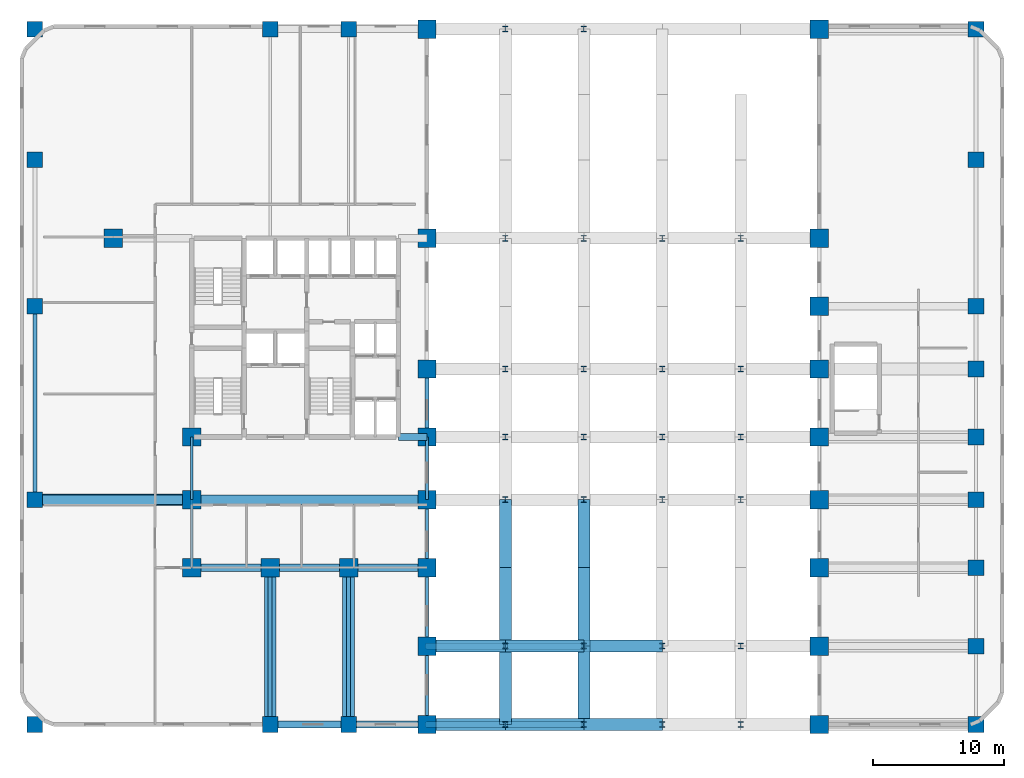
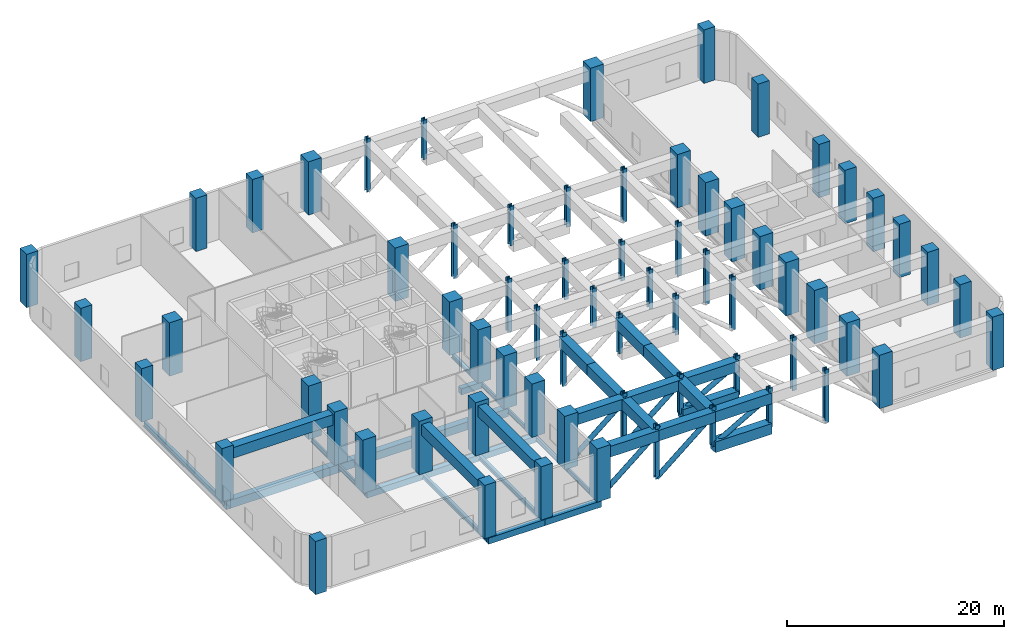
# One storey, part 1 of 11: 67 columns, 35 beams, 6 members.
"""IFC4 building model written with IfcOpenShell, lengths in metres."""

from ifc_helpers import new_model, si_unit, direction, frame, origin, origin_2d, place, context, subcontext, project, spatial, rectangle, hollow_circle, i_section, extrude, material, material_profile, profile_set, type_object, element, save


model = new_model("IFC4")

# Units and contexts
model_context = context("Model", 3, precision=1e-05, world=origin(), true_north=direction((0.0, 1.0)))
body_context = subcontext(model_context, "Body", "Model", "MODEL_VIEW")
ifc_project = project(units=[si_unit("LENGTHUNIT", "METRE"), si_unit("AREAUNIT", "SQUARE_METRE"), si_unit("VOLUMEUNIT", "CUBIC_METRE"), si_unit("PLANEANGLEUNIT", "RADIAN"), si_unit("MASSUNIT", "GRAM", prefix="KILO")], contexts=[model_context])

# Site, building, storey
site_placement = place(None, origin())
site = spatial("IfcSite", under=ifc_project, at=site_placement, CompositionType="ELEMENT")
building_placement = place(site_placement, origin())
building = spatial("IfcBuilding", under=site, at=building_placement, Name="Keshet Zoharim Tower", CompositionType="ELEMENT")
storey_placement = place(building_placement, frame((0.0, 0.0, 13.0)))
storey = spatial("IfcBuildingStorey", under=building, at=storey_placement, Name="L02", CompositionType="ELEMENT", Elevation=13.0)

# Columns
ifc_material_1 = material(Name="Steel S355", Category="steel")
ifc_material_profile_1 = material_profile(ifc_material_1, i_section(OverallWidth=0.41796875, OverallDepth=0.455078125, WebThickness=0.0419921875, FlangeThickness=0.068115234375, FilletRadius=0.014892578125, at=origin_2d()), Name="HD400x551")
ifc_profile_set_1 = profile_set([ifc_material_profile_1], Name="Steel S355")
column_type_1 = type_object("IfcColumnType", Name="COL-HD551", PredefinedType="COLUMN", material=ifc_profile_set_1)
column_1_placement = place(storey_placement, frame((39.0, 0.699951171875, 0.0), z_axis=(0.0, 0.0, 1.0), x_axis=(1.0, 0.0, 0.0)))
element("IfcColumn", 1, at=column_1_placement, inside=storey, type_object=column_type_1, Name="L02 Arch Spandrel Transfer Column A-39", PredefinedType="COLUMN", context=body_context, shape_type="SweptSolid", body=[
    extrude(i_section(OverallWidth=0.41796875, OverallDepth=0.455078125, WebThickness=0.0419921875, FlangeThickness=0.068115234375, FilletRadius=0.014892578125, at=origin_2d()), origin(), (0.0, 0.0, 1.0), 6.0),
])
for number, where, z_axis, x_axis, name in (
    (2, (45.0, 0.699951171875, 1.56298828125), (0.0, 0.0, 1.0), (1.0, 0.0, 0.0), "L02 Arch Spandrel Transfer Column A-45"),
    (3, (51.0, 0.699951171875, 1.56298828125), (0.0, 0.0, 1.0), (1.0, 0.0, 0.0), "L02 Arch Spandrel Transfer Column A-51"),
):
    element("IfcColumn", number, at=place(storey_placement, frame(where, z_axis=z_axis, x_axis=x_axis)), inside=storey, type_object=column_type_1, Name=name, PredefinedType="COLUMN", context=body_context, shape_type="SweptSolid", body=[
        extrude(i_section(OverallWidth=0.41796875, OverallDepth=0.455078125, WebThickness=0.0419921875, FlangeThickness=0.068115234375, FilletRadius=0.014892578125, at=origin_2d()), origin(), (0.0, 0.0, 1.0), 4.43701171875),
    ])
for number, where, z_axis, x_axis, name in (
    (4, (57.0, 0.699951171875, 0.0), (0.0, 0.0, 1.0), (1.0, 0.0, 0.0), "L02 Arch Spandrel Transfer Column A-57"),
    (5, (39.0, 6.699951171875, 0.0), (0.0, 0.0, 1.0), (1.0, 0.0, 0.0), "L02 Arch Spandrel Transfer Column B-39"),
):
    element("IfcColumn", number, at=place(storey_placement, frame(where, z_axis=z_axis, x_axis=x_axis)), inside=storey, type_object=column_type_1, Name=name, PredefinedType="COLUMN", context=body_context, shape_type="SweptSolid", body=[
        extrude(i_section(OverallWidth=0.41796875, OverallDepth=0.455078125, WebThickness=0.0419921875, FlangeThickness=0.068115234375, FilletRadius=0.014892578125, at=origin_2d()), origin(), (0.0, 0.0, 1.0), 6.0),
    ])
for number, where, z_axis, x_axis, name in (
    (6, (45.0, 6.699951171875, 1.56298828125), (0.0, 0.0, 1.0), (1.0, 0.0, 0.0), "L02 Arch Spandrel Transfer Column B-45"),
    (7, (51.0, 6.699951171875, 1.56298828125), (0.0, 0.0, 1.0), (1.0, 0.0, 0.0), "L02 Arch Spandrel Transfer Column B-51"),
):
    element("IfcColumn", number, at=place(storey_placement, frame(where, z_axis=z_axis, x_axis=x_axis)), inside=storey, type_object=column_type_1, Name=name, PredefinedType="COLUMN", context=body_context, shape_type="SweptSolid", body=[
        extrude(i_section(OverallWidth=0.41796875, OverallDepth=0.455078125, WebThickness=0.0419921875, FlangeThickness=0.068115234375, FilletRadius=0.014892578125, at=origin_2d()), origin(), (0.0, 0.0, 1.0), 4.43701171875),
    ])
for number, where, z_axis, x_axis, name in (
    (8, (57.0, 6.699951171875, 0.0), (0.0, 0.0, 1.0), (1.0, 0.0, 0.0), "L02 Arch Spandrel Transfer Column B-57"),
    (9, (39.0, 17.89990234375, 0.0), (0.0, 0.0, 1.0), (1.0, 0.0, 0.0), "L02 Arch Spandrel Transfer Column D-39"),
):
    element("IfcColumn", number, at=place(storey_placement, frame(where, z_axis=z_axis, x_axis=x_axis)), inside=storey, type_object=column_type_1, Name=name, PredefinedType="COLUMN", context=body_context, shape_type="SweptSolid", body=[
        extrude(i_section(OverallWidth=0.41796875, OverallDepth=0.455078125, WebThickness=0.0419921875, FlangeThickness=0.068115234375, FilletRadius=0.014892578125, at=origin_2d()), origin(), (0.0, 0.0, 1.0), 6.0),
    ])
for number, where, z_axis, x_axis, name in (
    (10, (45.0, 17.89990234375, 1.56298828125), (0.0, 0.0, 1.0), (1.0, 0.0, 0.0), "L02 Arch Spandrel Transfer Column D-45"),
    (11, (51.0, 17.89990234375, 1.56298828125), (0.0, 0.0, 1.0), (1.0, 0.0, 0.0), "L02 Arch Spandrel Transfer Column D-51"),
):
    element("IfcColumn", number, at=place(storey_placement, frame(where, z_axis=z_axis, x_axis=x_axis)), inside=storey, type_object=column_type_1, Name=name, PredefinedType="COLUMN", context=body_context, shape_type="SweptSolid", body=[
        extrude(i_section(OverallWidth=0.41796875, OverallDepth=0.455078125, WebThickness=0.0419921875, FlangeThickness=0.068115234375, FilletRadius=0.014892578125, at=origin_2d()), origin(), (0.0, 0.0, 1.0), 4.43701171875),
    ])
for number, where, z_axis, x_axis, name in (
    (12, (57.0, 17.89990234375, 0.0), (0.0, 0.0, 1.0), (1.0, 0.0, 0.0), "L02 Arch Spandrel Transfer Column D-57"),
    (13, (39.0, 22.699951171875, 0.0), (0.0, 0.0, 1.0), (1.0, 0.0, 0.0), "L02 Arch Spandrel Transfer Column E-39"),
):
    element("IfcColumn", number, at=place(storey_placement, frame(where, z_axis=z_axis, x_axis=x_axis)), inside=storey, type_object=column_type_1, Name=name, PredefinedType="COLUMN", context=body_context, shape_type="SweptSolid", body=[
        extrude(i_section(OverallWidth=0.41796875, OverallDepth=0.455078125, WebThickness=0.0419921875, FlangeThickness=0.068115234375, FilletRadius=0.014892578125, at=origin_2d()), origin(), (0.0, 0.0, 1.0), 6.0),
    ])
for number, where, z_axis, x_axis, name in (
    (14, (45.0, 22.699951171875, 1.56298828125), (0.0, 0.0, 1.0), (1.0, 0.0, 0.0), "L02 Arch Spandrel Transfer Column E-45"),
    (15, (51.0, 22.699951171875, 1.56298828125), (0.0, 0.0, 1.0), (1.0, 0.0, 0.0), "L02 Arch Spandrel Transfer Column E-51"),
):
    element("IfcColumn", number, at=place(storey_placement, frame(where, z_axis=z_axis, x_axis=x_axis)), inside=storey, type_object=column_type_1, Name=name, PredefinedType="COLUMN", context=body_context, shape_type="SweptSolid", body=[
        extrude(i_section(OverallWidth=0.41796875, OverallDepth=0.455078125, WebThickness=0.0419921875, FlangeThickness=0.068115234375, FilletRadius=0.014892578125, at=origin_2d()), origin(), (0.0, 0.0, 1.0), 4.43701171875),
    ])
for number, where, z_axis, x_axis, name in (
    (16, (57.0, 22.699951171875, 0.0), (0.0, 0.0, 1.0), (1.0, 0.0, 0.0), "L02 Arch Spandrel Transfer Column E-57"),
    (17, (39.0, 27.89990234375, 0.0), (0.0, 0.0, 1.0), (1.0, 0.0, 0.0), "L02 Arch Spandrel Transfer Column F-39"),
):
    element("IfcColumn", number, at=place(storey_placement, frame(where, z_axis=z_axis, x_axis=x_axis)), inside=storey, type_object=column_type_1, Name=name, PredefinedType="COLUMN", context=body_context, shape_type="SweptSolid", body=[
        extrude(i_section(OverallWidth=0.41796875, OverallDepth=0.455078125, WebThickness=0.0419921875, FlangeThickness=0.068115234375, FilletRadius=0.014892578125, at=origin_2d()), origin(), (0.0, 0.0, 1.0), 6.0),
    ])
for number, where, z_axis, x_axis, name in (
    (18, (45.0, 27.89990234375, 1.56298828125), (0.0, 0.0, 1.0), (1.0, 0.0, 0.0), "L02 Arch Spandrel Transfer Column F-45"),
    (19, (51.0, 27.89990234375, 1.56298828125), (0.0, 0.0, 1.0), (1.0, 0.0, 0.0), "L02 Arch Spandrel Transfer Column F-51"),
):
    element("IfcColumn", number, at=place(storey_placement, frame(where, z_axis=z_axis, x_axis=x_axis)), inside=storey, type_object=column_type_1, Name=name, PredefinedType="COLUMN", context=body_context, shape_type="SweptSolid", body=[
        extrude(i_section(OverallWidth=0.41796875, OverallDepth=0.455078125, WebThickness=0.0419921875, FlangeThickness=0.068115234375, FilletRadius=0.014892578125, at=origin_2d()), origin(), (0.0, 0.0, 1.0), 4.43701171875),
    ])
for number, where, z_axis, x_axis, name in (
    (20, (57.0, 27.89990234375, 0.0), (0.0, 0.0, 1.0), (1.0, 0.0, 0.0), "L02 Arch Spandrel Transfer Column F-57"),
    (21, (39.0, 37.89990234375, 0.0), (0.0, 0.0, 1.0), (1.0, 0.0, 0.0), "L02 Arch Spandrel Transfer Column H-39"),
):
    element("IfcColumn", number, at=place(storey_placement, frame(where, z_axis=z_axis, x_axis=x_axis)), inside=storey, type_object=column_type_1, Name=name, PredefinedType="COLUMN", context=body_context, shape_type="SweptSolid", body=[
        extrude(i_section(OverallWidth=0.41796875, OverallDepth=0.455078125, WebThickness=0.0419921875, FlangeThickness=0.068115234375, FilletRadius=0.014892578125, at=origin_2d()), origin(), (0.0, 0.0, 1.0), 6.0),
    ])
for number, where, z_axis, x_axis, name in (
    (22, (45.0, 37.89990234375, 1.56298828125), (0.0, 0.0, 1.0), (1.0, 0.0, 0.0), "L02 Arch Spandrel Transfer Column H-45"),
    (23, (51.0, 37.89990234375, 1.56298828125), (0.0, 0.0, 1.0), (1.0, 0.0, 0.0), "L02 Arch Spandrel Transfer Column H-51"),
):
    element("IfcColumn", number, at=place(storey_placement, frame(where, z_axis=z_axis, x_axis=x_axis)), inside=storey, type_object=column_type_1, Name=name, PredefinedType="COLUMN", context=body_context, shape_type="SweptSolid", body=[
        extrude(i_section(OverallWidth=0.41796875, OverallDepth=0.455078125, WebThickness=0.0419921875, FlangeThickness=0.068115234375, FilletRadius=0.014892578125, at=origin_2d()), origin(), (0.0, 0.0, 1.0), 4.43701171875),
    ])
for number, where, z_axis, x_axis, name in (
    (24, (57.0, 37.89990234375, 0.0), (0.0, 0.0, 1.0), (1.0, 0.0, 0.0), "L02 Arch Spandrel Transfer Column H-57"),
    (25, (39.0, 53.89990234375, 0.0), (0.0, 0.0, 1.0), (1.0, 0.0, 0.0), "L02 Arch Spandrel Transfer Column L-39"),
):
    element("IfcColumn", number, at=place(storey_placement, frame(where, z_axis=z_axis, x_axis=x_axis)), inside=storey, type_object=column_type_1, Name=name, PredefinedType="COLUMN", context=body_context, shape_type="SweptSolid", body=[
        extrude(i_section(OverallWidth=0.41796875, OverallDepth=0.455078125, WebThickness=0.0419921875, FlangeThickness=0.068115234375, FilletRadius=0.014892578125, at=origin_2d()), origin(), (0.0, 0.0, 1.0), 6.0),
    ])
column_2_placement = place(storey_placement, frame((45.0, 53.89990234375, 1.56298828125), z_axis=(0.0, 0.0, 1.0), x_axis=(1.0, 0.0, 0.0)))
element("IfcColumn", 26, at=column_2_placement, inside=storey, type_object=column_type_1, Name="L02 Arch Spandrel Transfer Column L-45", PredefinedType="COLUMN", context=body_context, shape_type="SweptSolid", body=[
    extrude(i_section(OverallWidth=0.41796875, OverallDepth=0.455078125, WebThickness=0.0419921875, FlangeThickness=0.068115234375, FilletRadius=0.014892578125, at=origin_2d()), origin(), (0.0, 0.0, 1.0), 4.43701171875),
])
ifc_material_2 = material(Name="Concrete C60/75", Category="concrete")
ifc_material_profile_2 = material_profile(ifc_material_2, rectangle(XDim=1.39990234375, YDim=1.39990234375, at=origin_2d()), Name="RC1400x1400")
ifc_profile_set_2 = profile_set([ifc_material_profile_2], Name="Concrete C60/75")
column_type_2 = type_object("IfcColumnType", Name="COL-POD-1400", PredefinedType="COLUMN", material=ifc_profile_set_2)
for number, where, z_axis, x_axis, name in (
    (27, (9.0, 37.89990234375, 0.0), (0.0, 0.0, 1.0), (1.0, 0.0, 0.0), "L02 Column 2H"),
    (28, (15.0, 12.699951171875, 0.0), (0.0, 0.0, 1.0), (1.0, 0.0, 0.0), "L02 Column 3C"),
    (29, (15.0, 17.89990234375, 0.0), (0.0, 0.0, 1.0), (1.0, 0.0, 0.0), "L02 Column 3D"),
    (30, (15.0, 22.699951171875, 0.0), (0.0, 0.0, 1.0), (1.0, 0.0, 0.0), "L02 Column 3E"),
    (31, (21.0, 12.699951171875, 0.0), (0.0, 0.0, 1.0), (1.0, 0.0, 0.0), "L02 Column 4C"),
    (32, (27.0, 12.699951171875, 0.0), (0.0, 0.0, 1.0), (1.0, 0.0, 0.0), "L02 Column 5C"),
):
    element("IfcColumn", number, at=place(storey_placement, frame(where, z_axis=z_axis, x_axis=x_axis)), inside=storey, type_object=column_type_2, Name=name, PredefinedType="COLUMN", context=body_context, shape_type="SweptSolid", body=[
        extrude(rectangle(XDim=1.39990234375, YDim=1.39990234375, at=origin_2d()), origin(), (0.0, 0.0, 1.0), 6.0),
    ])
ifc_material_profile_3 = material_profile(ifc_material_2, rectangle(XDim=1.199951171875, YDim=1.199951171875, at=origin_2d()), Name="RC1200x1200")
ifc_profile_set_3 = profile_set([ifc_material_profile_3], Name="Concrete C60/75")
column_type_3 = type_object("IfcColumnType", Name="PIL-RC1200", PredefinedType="PILASTER", material=ifc_profile_set_3)
for number, where, z_axis, x_axis, name in (
    (33, (3.0, 0.699951171875, 0.0), (0.0, 0.0, 1.0), (1.0, 0.0, 0.0), "L02 Column 1A"),
    (34, (3.0, 17.89990234375, 0.0), (0.0, 0.0, 1.0), (1.0, 0.0, 0.0), "L02 Column 1D"),
    (35, (3.0, 32.699951171875, 0.0), (0.0, 0.0, 1.0), (1.0, 0.0, 0.0), "L02 Column 1G"),
    (36, (3.0, 43.89990234375, 0.0), (0.0, 0.0, 1.0), (1.0, 0.0, 0.0), "L02 Column 1J"),
    (37, (3.0, 53.89990234375, 0.0), (0.0, 0.0, 1.0), (1.0, 0.0, 0.0), "L02 Column 1L"),
    (38, (21.0, 0.699951171875, 0.0), (0.0, 0.0, 1.0), (1.0, 0.0, 0.0), "L02 Column 4A"),
    (39, (21.0, 53.89990234375, 0.0), (0.0, 0.0, 1.0), (1.0, 0.0, 0.0), "L02 Column 4L"),
    (40, (27.0, 0.699951171875, 0.0), (0.0, 0.0, 1.0), (1.0, 0.0, 0.0), "L02 Column 5A"),
    (41, (27.0, 53.89990234375, 0.0), (0.0, 0.0, 1.0), (1.0, 0.0, 0.0), "L02 Column 5L"),
    (42, (75.0, 0.699951171875, 0.0), (0.0, 0.0, 1.0), (1.0, 0.0, 0.0), "L02 Column 13A"),
    (43, (75.0, 6.699951171875, 0.0), (0.0, 0.0, 1.0), (1.0, 0.0, 0.0), "L02 Column 13B"),
    (44, (75.0, 12.699951171875, 0.0), (0.0, 0.0, 1.0), (1.0, 0.0, 0.0), "L02 Column 13C"),
    (45, (75.0, 17.89990234375, 0.0), (0.0, 0.0, 1.0), (1.0, 0.0, 0.0), "L02 Column 13D"),
    (46, (75.0, 22.699951171875, 0.0), (0.0, 0.0, 1.0), (1.0, 0.0, 0.0), "L02 Column 13E"),
    (47, (75.0, 27.89990234375, 0.0), (0.0, 0.0, 1.0), (1.0, 0.0, 0.0), "L02 Column 13F"),
    (48, (75.0, 32.699951171875, 0.0), (0.0, 0.0, 1.0), (1.0, 0.0, 0.0), "L02 Column 13G"),
    (49, (75.0, 43.89990234375, 0.0), (0.0, 0.0, 1.0), (1.0, 0.0, 0.0), "L02 Column 13J"),
    (50, (75.0, 53.89990234375, 0.0), (0.0, 0.0, 1.0), (1.0, 0.0, 0.0), "L02 Column 13L"),
):
    element("IfcColumn", number, at=place(storey_placement, frame(where, z_axis=z_axis, x_axis=x_axis)), inside=storey, type_object=column_type_3, Name=name, PredefinedType="PILASTER", context=body_context, shape_type="SweptSolid", body=[
        extrude(rectangle(XDim=1.199951171875, YDim=1.199951171875, at=origin_2d()), origin(), (0.0, 0.0, 1.0), 6.0),
    ])
ifc_material_profile_4 = material_profile(ifc_material_2, rectangle(XDim=1.39990234375, YDim=1.39990234375, at=origin_2d()), Name="RC1400x1400")
ifc_profile_set_4 = profile_set([ifc_material_profile_4], Name="Concrete C60/75")
column_type_4 = type_object("IfcColumnType", Name="PIL-RC1400", PredefinedType="PILASTER", material=ifc_profile_set_4)
for number, where, z_axis, x_axis, name in (
    (51, (33.0, 0.699951171875, 0.0), (0.0, 0.0, 1.0), (1.0, 0.0, 0.0), "L02 Column 6A"),
    (52, (33.0, 6.699951171875, 0.0), (0.0, 0.0, 1.0), (1.0, 0.0, 0.0), "L02 Column 6B"),
    (53, (33.0, 12.699951171875, 0.0), (0.0, 0.0, 1.0), (1.0, 0.0, 0.0), "L02 Column 6C"),
    (54, (33.0, 17.89990234375, 0.0), (0.0, 0.0, 1.0), (1.0, 0.0, 0.0), "L02 Column 6D"),
    (55, (33.0, 22.699951171875, 0.0), (0.0, 0.0, 1.0), (1.0, 0.0, 0.0), "L02 Column 6E"),
    (56, (33.0, 27.89990234375, 0.0), (0.0, 0.0, 1.0), (1.0, 0.0, 0.0), "L02 Column 6F"),
    (57, (33.0, 37.89990234375, 0.0), (0.0, 0.0, 1.0), (1.0, 0.0, 0.0), "L02 Column 6H"),
    (58, (33.0, 53.89990234375, 0.0), (0.0, 0.0, 1.0), (1.0, 0.0, 0.0), "L02 Column 6L"),
    (59, (63.0, 0.699951171875, 0.0), (0.0, 0.0, 1.0), (1.0, 0.0, 0.0), "L02 Column 11A"),
    (60, (63.0, 6.699951171875, 0.0), (0.0, 0.0, 1.0), (1.0, 0.0, 0.0), "L02 Column 11B"),
    (61, (63.0, 12.699951171875, 0.0), (0.0, 0.0, 1.0), (1.0, 0.0, 0.0), "L02 Column 11C"),
    (62, (63.0, 17.89990234375, 0.0), (0.0, 0.0, 1.0), (1.0, 0.0, 0.0), "L02 Column 11D"),
    (63, (63.0, 22.699951171875, 0.0), (0.0, 0.0, 1.0), (1.0, 0.0, 0.0), "L02 Column 11E"),
    (64, (63.0, 27.89990234375, 0.0), (0.0, 0.0, 1.0), (1.0, 0.0, 0.0), "L02 Column 11F"),
    (65, (63.0, 32.699951171875, 0.0), (0.0, 0.0, 1.0), (1.0, 0.0, 0.0), "L02 Column 11G"),
    (66, (63.0, 37.89990234375, 0.0), (0.0, 0.0, 1.0), (1.0, 0.0, 0.0), "L02 Column 11H"),
    (67, (63.0, 53.89990234375, 0.0), (0.0, 0.0, 1.0), (1.0, 0.0, 0.0), "L02 Column 11L"),
):
    element("IfcColumn", number, at=place(storey_placement, frame(where, z_axis=z_axis, x_axis=x_axis)), inside=storey, type_object=column_type_4, Name=name, PredefinedType="PILASTER", context=body_context, shape_type="SweptSolid", body=[
        extrude(rectangle(XDim=1.39990234375, YDim=1.39990234375, at=origin_2d()), origin(), (0.0, 0.0, 1.0), 6.0),
    ])

# Beams
ifc_material_profile_5 = material_profile(ifc_material_2, rectangle(XDim=0.89990234375, YDim=1.199951171875, at=origin_2d()), Name="RC1200x900")
ifc_profile_set_5 = profile_set([ifc_material_profile_5], Name="Concrete C60/75")
beam_type_1 = type_object("IfcBeamType", Name="BM-ARCH-1200", PredefinedType="BEAM", material=ifc_profile_set_5)
for number, where, z_axis, x_axis, name in (
    (68, (45.0, 0.699951171875, 1.56298828125), (1.0, 0.0, 0.0), (0.0, 1.0, 0.0), "Arch Spandrel Transfer Rib A-03"),
    (69, (45.0, 6.699951171875, 1.56298828125), (1.0, 0.0, 0.0), (0.0, 1.0, 0.0), "Arch Spandrel Transfer Rib B-03"),
):
    element("IfcBeam", number, at=place(storey_placement, frame(where, z_axis=z_axis, x_axis=x_axis)), inside=storey, type_object=beam_type_1, Name=name, PredefinedType="BEAM", context=body_context, shape_type="SweptSolid", body=[
        extrude(rectangle(XDim=0.89990234375, YDim=1.199951171875, at=origin_2d()), origin(), (0.0, 0.0, 1.0), 6.0),
    ])
ifc_material_profile_6 = material_profile(ifc_material_1, i_section(OverallWidth=0.300048828125, OverallDepth=0.60009765625, WebThickness=0.015380859375, FlangeThickness=0.030029296875, FilletRadius=0.027099609375, at=origin_2d()), Name="HEB600")
ifc_profile_set_6 = profile_set([ifc_material_profile_6], Name="Steel S355")
beam_type_2 = type_object("IfcBeamType", Name="BM-LNG-HB600", PredefinedType="BEAM", material=ifc_profile_set_6)
beam_1_placement = place(storey_placement, frame((3.0, 17.89990234375, -0.6298828125), z_axis=(0.0, 1.0, 0.0), x_axis=(-1.0, 0.0, 0.0)))
element("IfcBeam", 70, at=beam_1_placement, inside=storey, type_object=beam_type_2, Name="L02 Primary Girder Y-001", PredefinedType="BEAM", context=body_context, shape_type="SweptSolid", body=[
    extrude(i_section(OverallWidth=0.300048828125, OverallDepth=0.60009765625, WebThickness=0.015380859375, FlangeThickness=0.030029296875, FilletRadius=0.027099609375, at=origin_2d()), origin(), (0.0, 0.0, 1.0), 14.800048828125),
])
ifc_material_profile_7 = material_profile(ifc_material_2, rectangle(XDim=0.699951171875, YDim=0.89990234375, at=origin_2d()), Name="RC900x700")
ifc_profile_set_7 = profile_set([ifc_material_profile_7], Name="Concrete C60/75")
beam_type_3 = type_object("IfcBeamType", Name="BM-LNG-RC900", PredefinedType="T_BEAM", material=ifc_profile_set_7)
beam_2_placement = place(storey_placement, frame((3.0, 17.89990234375, -0.780029296875), z_axis=(1.0, 0.0, 0.0), x_axis=(0.0, 1.0, 0.0)))
element("IfcBeam", 71, at=beam_2_placement, inside=storey, type_object=beam_type_3, Name="L02 Primary Girder X-009", PredefinedType="T_BEAM", context=body_context, shape_type="SweptSolid", body=[
    extrude(rectangle(XDim=0.699951171875, YDim=0.89990234375, at=origin_2d()), origin(), (0.0, 0.0, 1.0), 12.0),
])
beam_3_placement = place(storey_placement, frame((15.0, 17.89990234375, -0.780029296875), z_axis=(1.0, 0.0, 0.0), x_axis=(0.0, 1.0, 0.0)))
element("IfcBeam", 72, at=beam_3_placement, inside=storey, type_object=beam_type_3, Name="L02 Primary Girder X-010", PredefinedType="T_BEAM", context=body_context, shape_type="SweptSolid", body=[
    extrude(rectangle(XDim=0.699951171875, YDim=0.89990234375, at=origin_2d()), origin(), (0.0, 0.0, 1.0), 18.0),
])
ifc_material_3 = material(Name="Concrete C50/60", Category="concrete")
ifc_material_profile_8 = material_profile(ifc_material_3, rectangle(XDim=0.550048828125, YDim=0.699951171875, at=origin_2d()), Name="RC700x550")
ifc_profile_set_8 = profile_set([ifc_material_profile_8], Name="Concrete C50/60")
beam_type_4 = type_object("IfcBeamType", Name="BM-LNT-700", PredefinedType="LINTEL", material=ifc_profile_set_8)
for number, where, z_axis, x_axis, name in (
    (73, (21.0, 0.699951171875, -0.679931640625), (1.0, 0.0, 0.0), (0.0, 1.0, 0.0), "L02 Primary Girder X-001"),
    (74, (27.0, 0.699951171875, -0.679931640625), (1.0, 0.0, 0.0), (0.0, 1.0, 0.0), "L02 Primary Girder X-002"),
    (75, (15.0, 12.699951171875, -0.679931640625), (1.0, 0.0, 0.0), (0.0, 1.0, 0.0), "L02 Primary Girder X-005"),
    (76, (21.0, 12.699951171875, -0.679931640625), (1.0, 0.0, 0.0), (0.0, 1.0, 0.0), "L02 Primary Girder X-006"),
    (77, (27.0, 12.699951171875, -0.679931640625), (1.0, 0.0, 0.0), (0.0, 1.0, 0.0), "L02 Primary Girder X-007"),
):
    element("IfcBeam", number, at=place(storey_placement, frame(where, z_axis=z_axis, x_axis=x_axis)), inside=storey, type_object=beam_type_4, Name=name, PredefinedType="LINTEL", context=body_context, shape_type="SweptSolid", body=[
        extrude(rectangle(XDim=0.550048828125, YDim=0.699951171875, at=origin_2d()), origin(), (0.0, 0.0, 1.0), 6.0),
    ])
beam_4_placement = place(storey_placement, frame((30.800048828125, 22.699951171875, -0.679931640625), z_axis=(1.0, 0.0, 0.0), x_axis=(0.0, 1.0, 0.0)))
element("IfcBeam", 78, at=beam_4_placement, inside=storey, type_object=beam_type_4, Name="L02 Primary Girder X-012", PredefinedType="LINTEL", context=body_context, shape_type="SweptSolid", body=[
    extrude(rectangle(XDim=0.550048828125, YDim=0.699951171875, at=origin_2d()), origin(), (0.0, 0.0, 1.0), 2.199951171875),
])
ifc_material_profile_9 = material_profile(ifc_material_1, i_section(OverallWidth=0.300048828125, OverallDepth=0.5, WebThickness=0.014404296875, FlangeThickness=0.028076171875, FilletRadius=0.027099609375, at=origin_2d()), Name="HEB500")
ifc_profile_set_9 = profile_set([ifc_material_profile_9], Name="Steel S355")
beam_type_5 = type_object("IfcBeamType", Name="BM-MED-HB500", PredefinedType="BEAM", material=ifc_profile_set_9)
for number, where, z_axis, x_axis, name in (
    (79, (21.0, 0.699951171875, -0.580078125), (0.0, 1.0, 0.0), (-1.0, 0.0, 0.0), "L02 Primary Girder Y-005"),
    (80, (27.0, 0.699951171875, -0.580078125), (0.0, 1.0, 0.0), (-1.0, 0.0, 0.0), "L02 Primary Girder Y-006"),
):
    element("IfcBeam", number, at=place(storey_placement, frame(where, z_axis=z_axis, x_axis=x_axis)), inside=storey, type_object=beam_type_5, Name=name, PredefinedType="BEAM", context=body_context, shape_type="SweptSolid", body=[
        extrude(i_section(OverallWidth=0.300048828125, OverallDepth=0.5, WebThickness=0.014404296875, FlangeThickness=0.028076171875, FilletRadius=0.027099609375, at=origin_2d()), origin(), (0.0, 0.0, 1.0), 12.0),
    ])
beam_5_placement = place(storey_placement, frame((33.0, 22.699951171875, -0.580078125), z_axis=(0.0, 1.0, 0.0), x_axis=(-1.0, 0.0, 0.0)))
element("IfcBeam", 81, at=beam_5_placement, inside=storey, type_object=beam_type_5, Name="L02 Primary Girder Y-011", PredefinedType="BEAM", context=body_context, shape_type="SweptSolid", body=[
    extrude(i_section(OverallWidth=0.300048828125, OverallDepth=0.5, WebThickness=0.014404296875, FlangeThickness=0.028076171875, FilletRadius=0.027099609375, at=origin_2d()), origin(), (0.0, 0.0, 1.0), 5.199951171875),
])
ifc_material_profile_10 = material_profile(ifc_material_1, i_section(OverallWidth=0.199951171875, OverallDepth=0.5, WebThickness=0.01025390625, FlangeThickness=0.01611328125, FilletRadius=0.02099609375, at=origin_2d()), Name="IPE500")
ifc_profile_set_10 = profile_set([ifc_material_profile_10], Name="Steel S355")
beam_type_6 = type_object("IfcBeamType", Name="BM-PRI-IP500", PredefinedType="BEAM", material=ifc_profile_set_10)
beam_6_placement = place(storey_placement, frame((15.0, 12.699951171875, -0.580078125), z_axis=(0.0, 1.0, 0.0), x_axis=(-1.0, 0.0, 0.0)))
element("IfcBeam", 82, at=beam_6_placement, inside=storey, type_object=beam_type_6, Name="L02 Primary Girder Y-003", PredefinedType="BEAM", context=body_context, shape_type="SweptSolid", body=[
    extrude(i_section(OverallWidth=0.199951171875, OverallDepth=0.5, WebThickness=0.01025390625, FlangeThickness=0.01611328125, FilletRadius=0.02099609375, at=origin_2d()), origin(), (0.0, 0.0, 1.0), 5.199951171875),
])
beam_7_placement = place(storey_placement, frame((15.0, 17.89990234375, -0.580078125), z_axis=(0.0, 1.0, 0.0), x_axis=(-1.0, 0.0, 0.0)))
element("IfcBeam", 83, at=beam_7_placement, inside=storey, type_object=beam_type_6, Name="L02 Primary Girder Y-004", PredefinedType="BEAM", context=body_context, shape_type="SweptSolid", body=[
    extrude(i_section(OverallWidth=0.199951171875, OverallDepth=0.5, WebThickness=0.01025390625, FlangeThickness=0.01611328125, FilletRadius=0.02099609375, at=origin_2d()), origin(), (0.0, 0.0, 1.0), 4.800048828125),
])
for number, where, z_axis, x_axis, name in (
    (84, (33.0, 0.699951171875, -0.580078125), (0.0, 1.0, 0.0), (-1.0, 0.0, 0.0), "L02 Primary Girder Y-007"),
    (85, (33.0, 6.699951171875, -0.580078125), (0.0, 1.0, 0.0), (-1.0, 0.0, 0.0), "L02 Primary Girder Y-008"),
):
    element("IfcBeam", number, at=place(storey_placement, frame(where, z_axis=z_axis, x_axis=x_axis)), inside=storey, type_object=beam_type_6, Name=name, PredefinedType="BEAM", context=body_context, shape_type="SweptSolid", body=[
        extrude(i_section(OverallWidth=0.199951171875, OverallDepth=0.5, WebThickness=0.01025390625, FlangeThickness=0.01611328125, FilletRadius=0.02099609375, at=origin_2d()), origin(), (0.0, 0.0, 1.0), 6.0),
    ])
beam_8_placement = place(storey_placement, frame((33.0, 12.699951171875, -0.580078125), z_axis=(0.0, 1.0, 0.0), x_axis=(-1.0, 0.0, 0.0)))
element("IfcBeam", 86, at=beam_8_placement, inside=storey, type_object=beam_type_6, Name="L02 Primary Girder Y-009", PredefinedType="BEAM", context=body_context, shape_type="SweptSolid", body=[
    extrude(i_section(OverallWidth=0.199951171875, OverallDepth=0.5, WebThickness=0.01025390625, FlangeThickness=0.01611328125, FilletRadius=0.02099609375, at=origin_2d()), origin(), (0.0, 0.0, 1.0), 5.199951171875),
])
beam_9_placement = place(storey_placement, frame((33.0, 17.89990234375, -0.580078125), z_axis=(0.0, 1.0, 0.0), x_axis=(-1.0, 0.0, 0.0)))
element("IfcBeam", 87, at=beam_9_placement, inside=storey, type_object=beam_type_6, Name="L02 Primary Girder Y-010", PredefinedType="BEAM", context=body_context, shape_type="SweptSolid", body=[
    extrude(i_section(OverallWidth=0.199951171875, OverallDepth=0.5, WebThickness=0.01025390625, FlangeThickness=0.01611328125, FilletRadius=0.02099609375, at=origin_2d()), origin(), (0.0, 0.0, 1.0), 4.800048828125),
])
ifc_material_profile_11 = material_profile(ifc_material_2, rectangle(XDim=0.89990234375, YDim=1.199951171875, at=origin_2d()), Name="RC1200x900")
ifc_profile_set_11 = profile_set([ifc_material_profile_11], Name="Concrete C60/75")
beam_type_7 = type_object("IfcBeamType", Name="BM-TBM-1200", PredefinedType="T_BEAM", material=ifc_profile_set_11)
for number, where, z_axis, x_axis, name in (
    (88, (3.0, 17.89990234375, 4.97998046875), (1.0, 0.0, 0.0), (0.0, 1.0, 0.0), "Podium West Lobby Transfer T-Girder Y17.9"),
    (89, (21.0, 0.699951171875, 4.97998046875), (0.0, 1.0, 0.0), (-1.0, 0.0, 0.0), "Podium South Lobby Transfer T-Girder X21"),
    (90, (27.0, 0.699951171875, 4.97998046875), (0.0, 1.0, 0.0), (-1.0, 0.0, 0.0), "Podium South Lobby Transfer T-Girder X27"),
):
    element("IfcBeam", number, at=place(storey_placement, frame(where, z_axis=z_axis, x_axis=x_axis)), inside=storey, type_object=beam_type_7, Name=name, PredefinedType="T_BEAM", context=body_context, shape_type="SweptSolid", body=[
        extrude(rectangle(XDim=0.89990234375, YDim=1.199951171875, at=origin_2d()), origin(), (0.0, 0.0, 1.0), 12.0),
    ])
ifc_material_profile_12 = material_profile(ifc_material_2, rectangle(XDim=0.89990234375, YDim=1.199951171875, at=origin_2d()), Name="RC1200x900")
ifc_profile_set_12 = profile_set([ifc_material_profile_12], Name="Concrete C60/75")
beam_type_8 = type_object("IfcBeamType", Name="BM-XFER-1200", PredefinedType="BEAM", material=ifc_profile_set_12)
for number, where, z_axis, x_axis, name in (
    (91, (33.0, 0.699951171875, 4.97998046875), (1.0, 0.0, 0.0), (0.0, 1.0, 0.0), "Podium Transfer Girder A 33-39"),
    (92, (39.0, 0.699951171875, 4.97998046875), (1.0, 0.0, 0.0), (0.0, 1.0, 0.0), "Podium Transfer Girder A 39-45"),
    (93, (45.0, 0.699951171875, 4.97998046875), (1.0, 0.0, 0.0), (0.0, 1.0, 0.0), "Podium Transfer Girder A 45-51"),
    (94, (33.0, 6.699951171875, 4.97998046875), (1.0, 0.0, 0.0), (0.0, 1.0, 0.0), "Podium Transfer Girder B 33-39"),
    (95, (39.0, 6.699951171875, 4.97998046875), (1.0, 0.0, 0.0), (0.0, 1.0, 0.0), "Podium Transfer Girder B 39-45"),
    (96, (45.0, 6.699951171875, 4.97998046875), (1.0, 0.0, 0.0), (0.0, 1.0, 0.0), "Podium Transfer Girder B 45-51"),
    (97, (39.0, 0.699951171875, 4.97998046875), (0.0, 1.0, 0.0), (-1.0, 0.0, 0.0), "Podium Transverse Transfer Girder X39-0.7"),
    (98, (39.0, 6.699951171875, 4.97998046875), (0.0, 1.0, 0.0), (-1.0, 0.0, 0.0), "Podium Transverse Transfer Girder X39-6.7"),
):
    element("IfcBeam", number, at=place(storey_placement, frame(where, z_axis=z_axis, x_axis=x_axis)), inside=storey, type_object=beam_type_8, Name=name, PredefinedType="BEAM", context=body_context, shape_type="SweptSolid", body=[
        extrude(rectangle(XDim=0.89990234375, YDim=1.199951171875, at=origin_2d()), origin(), (0.0, 0.0, 1.0), 6.0),
    ])
beam_10_placement = place(storey_placement, frame((39.0, 12.699951171875, 4.97998046875), z_axis=(0.0, 1.0, 0.0), x_axis=(-1.0, 0.0, 0.0)))
element("IfcBeam", 99, at=beam_10_placement, inside=storey, type_object=beam_type_8, Name="Podium Transverse Transfer Girder X39-12.7", PredefinedType="BEAM", context=body_context, shape_type="SweptSolid", body=[
    extrude(rectangle(XDim=0.89990234375, YDim=1.199951171875, at=origin_2d()), origin(), (0.0, 0.0, 1.0), 5.199951171875),
])
for number, where, z_axis, x_axis, name in (
    (100, (45.0, 0.699951171875, 4.97998046875), (0.0, 1.0, 0.0), (-1.0, 0.0, 0.0), "Podium Transverse Transfer Girder X45-0.7"),
    (101, (45.0, 6.699951171875, 4.97998046875), (0.0, 1.0, 0.0), (-1.0, 0.0, 0.0), "Podium Transverse Transfer Girder X45-6.7"),
):
    element("IfcBeam", number, at=place(storey_placement, frame(where, z_axis=z_axis, x_axis=x_axis)), inside=storey, type_object=beam_type_8, Name=name, PredefinedType="BEAM", context=body_context, shape_type="SweptSolid", body=[
        extrude(rectangle(XDim=0.89990234375, YDim=1.199951171875, at=origin_2d()), origin(), (0.0, 0.0, 1.0), 6.0),
    ])
beam_11_placement = place(storey_placement, frame((45.0, 12.699951171875, 4.97998046875), z_axis=(0.0, 1.0, 0.0), x_axis=(-1.0, 0.0, 0.0)))
element("IfcBeam", 102, at=beam_11_placement, inside=storey, type_object=beam_type_8, Name="Podium Transverse Transfer Girder X45-12.7", PredefinedType="BEAM", context=body_context, shape_type="SweptSolid", body=[
    extrude(rectangle(XDim=0.89990234375, YDim=1.199951171875, at=origin_2d()), origin(), (0.0, 0.0, 1.0), 5.199951171875),
])

# Members
ifc_material_profile_13 = material_profile(ifc_material_1, hollow_circle(Radius=0.25390625, WallThickness=0.02001953125, at=origin_2d()), Name="CHS508x20")
ifc_profile_set_13 = profile_set([ifc_material_profile_13], Name="Steel S355")
member_type = type_object("IfcMemberType", Name="MB-XFER-C508", PredefinedType="BRACE", material=ifc_profile_set_13)
for number, where, z_axis, x_axis, name in (
    (103, (33.0, 0.699951171875, 0.0), (0.76948246386, 0.0, 0.638667940178), (0.0, 1.0, 0.0), "Arch Spandrel Transfer Truss Diagonal A-33"),
    (104, (39.0, 0.699951171875, 0.0), (0.76948246386, 0.0, 0.638667940178), (0.0, 1.0, 0.0), "Arch Spandrel Transfer Truss Diagonal A-39"),
):
    element("IfcMember", number, at=place(storey_placement, frame(where, z_axis=z_axis, x_axis=x_axis)), inside=storey, type_object=member_type, Name=name, PredefinedType="BRACE", context=body_context, shape_type="SweptSolid", body=[
        extrude(hollow_circle(Radius=0.25390625, WallThickness=0.02001953125, at=origin_2d()), origin(), (0.0, 0.0, 1.0), 7.79736328125),
    ])
member_1_placement = place(storey_placement, frame((45.0, 0.699951171875, 1.56298828125), z_axis=(0.868964618235, 0.0, 0.494874218621), x_axis=(0.0, 1.0, 0.0)))
element("IfcMember", 105, at=member_1_placement, inside=storey, type_object=member_type, Name="Arch Spandrel Transfer Truss Diagonal A-45", PredefinedType="BRACE", context=body_context, shape_type="SweptSolid", body=[
    extrude(hollow_circle(Radius=0.25390625, WallThickness=0.02001953125, at=origin_2d()), origin(), (0.0, 0.0, 1.0), 6.90478515625),
])
for number, where, z_axis, x_axis, name in (
    (106, (33.0, 6.699951171875, 0.0), (0.76948246386, 0.0, 0.638667940178), (0.0, 1.0, 0.0), "Arch Spandrel Transfer Truss Diagonal B-33"),
    (107, (39.0, 6.699951171875, 0.0), (0.76948246386, 0.0, 0.638667940178), (0.0, 1.0, 0.0), "Arch Spandrel Transfer Truss Diagonal B-39"),
):
    element("IfcMember", number, at=place(storey_placement, frame(where, z_axis=z_axis, x_axis=x_axis)), inside=storey, type_object=member_type, Name=name, PredefinedType="BRACE", context=body_context, shape_type="SweptSolid", body=[
        extrude(hollow_circle(Radius=0.25390625, WallThickness=0.02001953125, at=origin_2d()), origin(), (0.0, 0.0, 1.0), 7.79736328125),
    ])
member_2_placement = place(storey_placement, frame((45.0, 6.699951171875, 1.56298828125), z_axis=(0.868964618235, 0.0, 0.494874218621), x_axis=(0.0, 1.0, 0.0)))
element("IfcMember", 108, at=member_2_placement, inside=storey, type_object=member_type, Name="Arch Spandrel Transfer Truss Diagonal B-45", PredefinedType="BRACE", context=body_context, shape_type="SweptSolid", body=[
    extrude(hollow_circle(Radius=0.25390625, WallThickness=0.02001953125, at=origin_2d()), origin(), (0.0, 0.0, 1.0), 6.90478515625),
])

save(model, "model.ifc")
